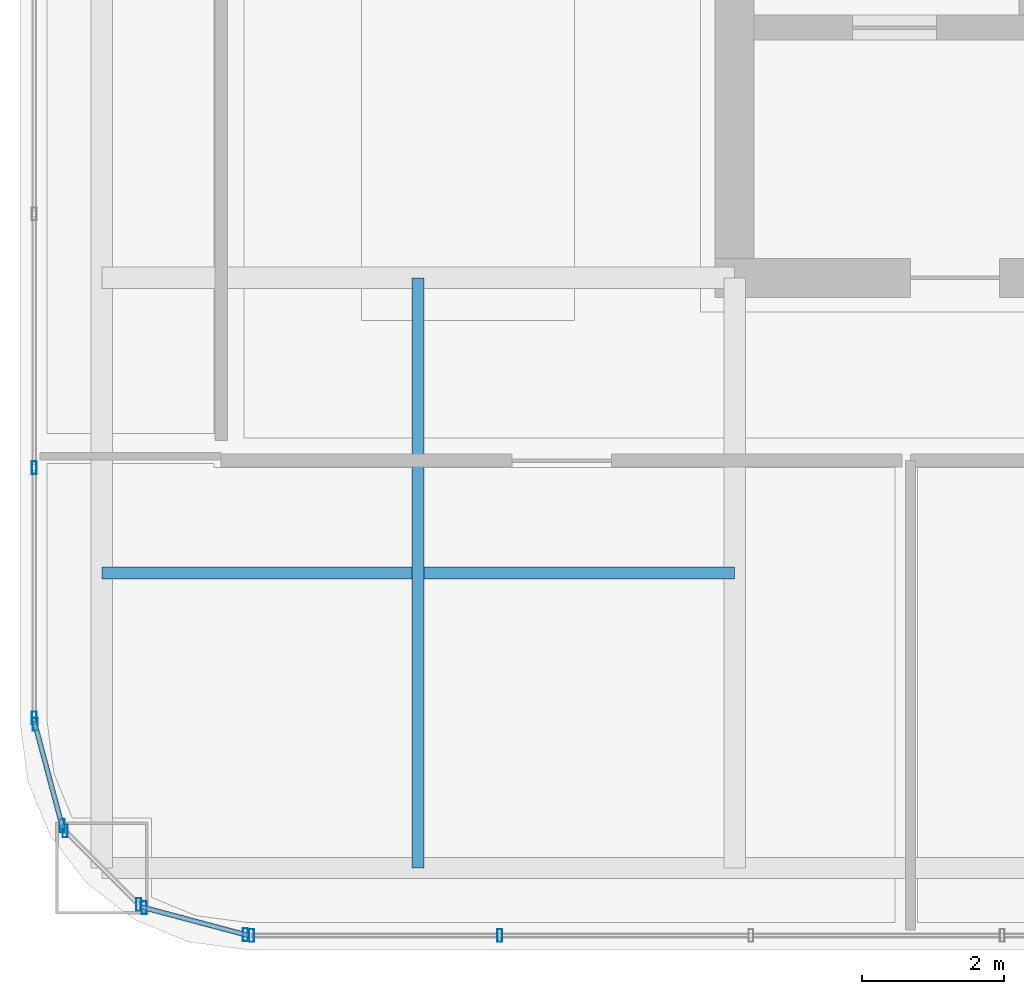
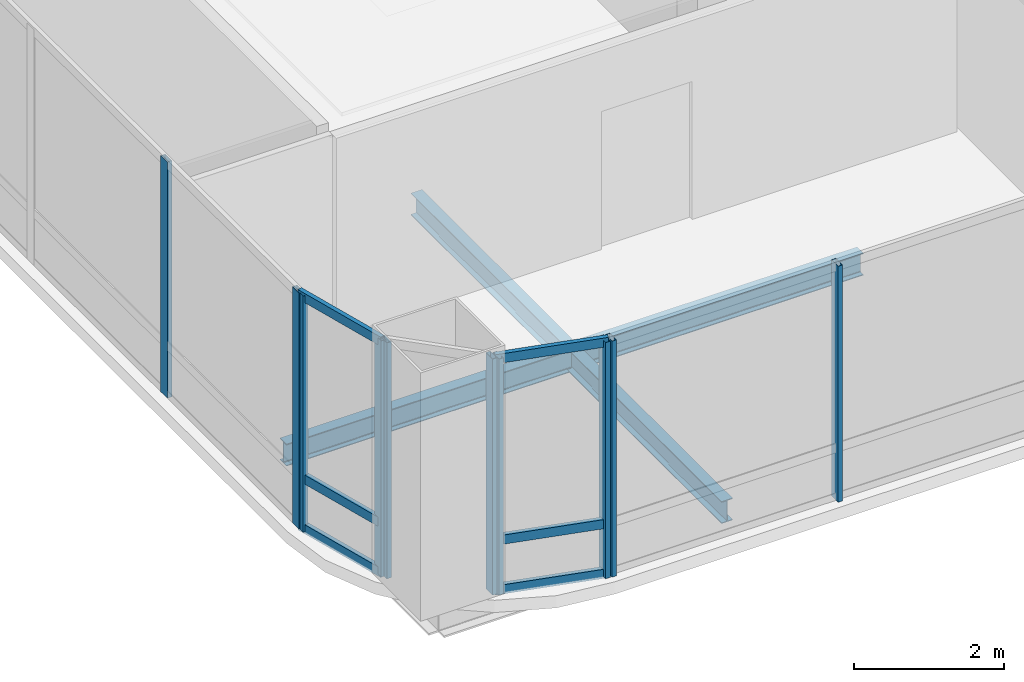
# One storey, part 2 of 42: 16 members, 2 beams, 5 elements without a shape of their own.
"""IFC4 building model written with IfcOpenShell, lengths in metres."""

from ifc_helpers import new_model, si_unit, direction, frame, origin, origin_2d, place, context, subcontext, project, spatial, hollow_rectangle, i_section, extrude, material, material_profile, profile_set, type_object, element, aggregate, save


model = new_model("IFC4")

# Units and contexts
model_context = context("Model", 3, precision=1e-05, world=origin(), true_north=direction((0.0, 1.0)))
body_context = subcontext(model_context, "Body", "Model", "MODEL_VIEW")
ifc_project = project(units=[si_unit("LENGTHUNIT", "METRE"), si_unit("AREAUNIT", "SQUARE_METRE"), si_unit("VOLUMEUNIT", "CUBIC_METRE"), si_unit("PLANEANGLEUNIT", "RADIAN"), si_unit("MASSUNIT", "GRAM", prefix="KILO")], contexts=[model_context])

# Site, building, storey
site_placement = place(None, origin())
site = spatial("IfcSite", under=ifc_project, at=site_placement, CompositionType="ELEMENT")
building_placement = place(site_placement, origin())
building = spatial("IfcBuilding", under=site, at=building_placement, Name="Punatoya Terracotta Tower", CompositionType="ELEMENT")
storey_placement = place(building_placement, frame((0.0, 0.0, 255.449951171875)))
storey = spatial("IfcBuildingStorey", under=building, at=storey_placement, Name="L60", CompositionType="ELEMENT", Elevation=255.449951171875)

# Beams
ifc_material_1 = material(Name="Steel S355", Category="steel")
ifc_material_profile_1 = material_profile(ifc_material_1, i_section(OverallWidth=0.169921875, OverallDepth=0.360107421875, WebThickness=0.008056640625, FlangeThickness=0.0126953125, FilletRadius=0.01806640625, at=origin_2d()))
ifc_profile_set_1 = profile_set([ifc_material_profile_1], Name="Steel S355")
beam_type = type_object("IfcBeamType", Name="BM-SEC-360", PredefinedType="JOIST", material=ifc_profile_set_1)
beam_1_placement = place(storey_placement, frame((-19.10009765625, -13.35009765625, -0.3798828125), z_axis=(1.0, 0.0, 0.0), x_axis=(0.0, 1.0, 0.0)))
element("IfcBeam", 1, at=beam_1_placement, inside=storey, type_object=beam_type, Name="BM-L60-SJS-1", PredefinedType="JOIST", context=body_context, shape_type="SweptSolid", body=[
    extrude(i_section(OverallWidth=0.169921875, OverallDepth=0.360107421875, WebThickness=0.008056640625, FlangeThickness=0.0126953125, FilletRadius=0.01806640625, at=origin_2d()), origin(), (0.0, 0.0, 1.0), 8.900146484375),
])
beam_2_placement = place(storey_placement, frame((-14.64990234375, -17.5, -0.3798828125), z_axis=(0.0, 1.0, 0.0), x_axis=(-1.0, 0.0, 0.0)))
element("IfcBeam", 2, at=beam_2_placement, inside=storey, type_object=beam_type, Name="BM-L60-SJW-1", PredefinedType="JOIST", context=body_context, shape_type="SweptSolid", body=[
    extrude(i_section(OverallWidth=0.169921875, OverallDepth=0.360107421875, WebThickness=0.008056640625, FlangeThickness=0.0126953125, FilletRadius=0.01806640625, at=origin_2d()), origin(), (0.0, 0.0, 1.0), 8.300048828125),
])

# Curtain wall, members
ifc_material_2 = material(Name="Aluminium 6063-T6 + Double Low-E Glass", Category="aluminium")
curtain_wall_type = type_object("IfcCurtainWallType", Name="CW-M3", PredefinedType="NOTDEFINED", material=ifc_material_2)
curtain_wall_1_placement = place(storey_placement, origin())
curtain_wall_1 = element("IfcCurtainWall", 3, at=curtain_wall_1_placement, inside=storey, type_object=curtain_wall_type, Name="L60 Curtain Wall CW-L60-S01-1", PredefinedType="NOTDEFINED")
ifc_material_3 = material(Name="Aluminium 6063-T6", Category="aluminium")
ifc_material_profile_2 = material_profile(ifc_material_3, hollow_rectangle(XDim=0.070068359375, YDim=0.179931640625, WallThickness=0.00390625, at=origin_2d()))
ifc_profile_set_2 = profile_set([ifc_material_profile_2], Name="Aluminium 6063-T6")
member_type_1 = type_object("IfcMemberType", Name="CW-MUL-M3", PredefinedType="MULLION", material=ifc_profile_set_2)
member_1_placement = place(storey_placement, frame((-16.991943359375, -18.449951171875, 0.0), z_axis=(0.0, 0.0, 1.0), x_axis=(1.0, 0.0, 0.0)))
member_1 = element("IfcMember", 4, at=member_1_placement, type_object=member_type_1, Name="CW-L60-S01-1 Mullion 00", PredefinedType="MULLION", context=body_context, shape_type="SweptSolid", body=[
    extrude(hollow_rectangle(XDim=0.070068359375, YDim=0.179931640625, WallThickness=0.00390625, at=origin_2d()), origin(), (0.0, 0.0, 1.0), 3.85009765625),
])
member_2_placement = place(storey_placement, frame((-13.5029296875, -18.449951171875, 0.0), z_axis=(0.0, 0.0, 1.0), x_axis=(1.0, 0.0, 0.0)))
member_2 = element("IfcMember", 5, at=member_2_placement, type_object=member_type_1, Name="CW-L60-S01-1 Mullion 01", PredefinedType="MULLION", context=body_context, shape_type="SweptSolid", body=[
    extrude(hollow_rectangle(XDim=0.070068359375, YDim=0.179931640625, WallThickness=0.00390625, at=origin_2d()), origin(), (0.0, 0.0, 1.0), 3.85009765625),
])
aggregate(curtain_wall_1, [member_1, member_2])

curtain_wall_2_placement = place(storey_placement, origin())
curtain_wall_2 = element("IfcCurtainWall", 6, at=curtain_wall_2_placement, inside=storey, type_object=curtain_wall_type, Name="L60 Curtain Wall CW-L60-W13-1", PredefinedType="NOTDEFINED")
member_3_placement = place(storey_placement, frame((-20.050048828125, -11.869384765625, 0.0), z_axis=(0.0, 0.0, 1.0), x_axis=(1.0, 0.0, 0.0)))
member_3 = element("IfcMember", 7, at=member_3_placement, type_object=member_type_1, Name="CW-L60-W13-1 Mullion 09", PredefinedType="MULLION", context=body_context, shape_type="SweptSolid", body=[
    extrude(hollow_rectangle(XDim=0.070068359375, YDim=0.179931640625, WallThickness=0.00390625, at=origin_2d()), origin(), (0.0, 0.0, 1.0), 3.85009765625),
])
member_4_placement = place(storey_placement, frame((-20.050048828125, -15.391845703125, 0.0), z_axis=(0.0, 0.0, 1.0), x_axis=(1.0, 0.0, 0.0)))
member_4 = element("IfcMember", 8, at=member_4_placement, type_object=member_type_1, Name="CW-L60-W13-1 Mullion 10", PredefinedType="MULLION", context=body_context, shape_type="SweptSolid", body=[
    extrude(hollow_rectangle(XDim=0.070068359375, YDim=0.179931640625, WallThickness=0.00390625, at=origin_2d()), origin(), (0.0, 0.0, 1.0), 3.85009765625),
])
aggregate(curtain_wall_2, [member_3, member_4])

curtain_wall_3_placement = place(storey_placement, origin())
curtain_wall_3 = element("IfcCurtainWall", 9, at=curtain_wall_3_placement, inside=storey, type_object=curtain_wall_type, Name="L60 Curtain Wall CW-L60-CRN14", PredefinedType="NOTDEFINED")
member_5_placement = place(storey_placement, frame((-20.038330078125, -15.48046875, 0.0), z_axis=(0.0, 0.0, 1.0), x_axis=(1.0, 0.0, 0.0)))
member_5 = element("IfcMember", 10, at=member_5_placement, type_object=member_type_1, Name="CW-L60-CRN14 Mullion 00", PredefinedType="MULLION", context=body_context, shape_type="SweptSolid", body=[
    extrude(hollow_rectangle(XDim=0.070068359375, YDim=0.179931640625, WallThickness=0.00390625, at=origin_2d()), origin(), (0.0, 0.0, 1.0), 3.85009765625),
])
member_6_placement = place(storey_placement, frame((-19.658203125, -16.905517578125, 0.0), z_axis=(0.0, 0.0, 1.0), x_axis=(1.0, 0.0, 0.0)))
member_6 = element("IfcMember", 11, at=member_6_placement, type_object=member_type_1, Name="CW-L60-CRN14 Mullion 01", PredefinedType="MULLION", context=body_context, shape_type="SweptSolid", body=[
    extrude(hollow_rectangle(XDim=0.070068359375, YDim=0.179931640625, WallThickness=0.00390625, at=origin_2d()), origin(), (0.0, 0.0, 1.0), 3.85009765625),
])

curtain_wall_4_placement = place(storey_placement, origin())
curtain_wall_4 = element("IfcCurtainWall", 12, at=curtain_wall_4_placement, inside=storey, type_object=curtain_wall_type, Name="L60 Curtain Wall CW-L60-CRN15", PredefinedType="NOTDEFINED")
member_7_placement = place(storey_placement, frame((-19.61474609375, -16.98095703125, 0.0), z_axis=(0.0, 0.0, 1.0), x_axis=(1.0, 0.0, 0.0)))
member_7 = element("IfcMember", 13, at=member_7_placement, type_object=member_type_1, Name="CW-L60-CRN15 Mullion 00", PredefinedType="MULLION", context=body_context, shape_type="SweptSolid", body=[
    extrude(hollow_rectangle(XDim=0.070068359375, YDim=0.179931640625, WallThickness=0.00390625, at=origin_2d()), origin(), (0.0, 0.0, 1.0), 3.85009765625),
])
member_8_placement = place(storey_placement, frame((-18.580810546875, -18.014892578125, 0.0), z_axis=(0.0, 0.0, 1.0), x_axis=(1.0, 0.0, 0.0)))
member_8 = element("IfcMember", 14, at=member_8_placement, type_object=member_type_1, Name="CW-L60-CRN15 Mullion 01", PredefinedType="MULLION", context=body_context, shape_type="SweptSolid", body=[
    extrude(hollow_rectangle(XDim=0.070068359375, YDim=0.179931640625, WallThickness=0.00390625, at=origin_2d()), origin(), (0.0, 0.0, 1.0), 3.85009765625),
])
aggregate(curtain_wall_4, [member_7, member_8])

curtain_wall_5_placement = place(storey_placement, origin())
curtain_wall_5 = element("IfcCurtainWall", 15, at=curtain_wall_5_placement, inside=storey, type_object=curtain_wall_type, Name="L60 Curtain Wall CW-L60-CRN16", PredefinedType="NOTDEFINED")
member_9_placement = place(storey_placement, frame((-18.505615234375, -18.05810546875, 0.0), z_axis=(0.0, 0.0, 1.0), x_axis=(1.0, 0.0, 0.0)))
member_9 = element("IfcMember", 16, at=member_9_placement, type_object=member_type_1, Name="CW-L60-CRN16 Mullion 00", PredefinedType="MULLION", context=body_context, shape_type="SweptSolid", body=[
    extrude(hollow_rectangle(XDim=0.070068359375, YDim=0.179931640625, WallThickness=0.00390625, at=origin_2d()), origin(), (0.0, 0.0, 1.0), 3.85009765625),
])
member_10_placement = place(storey_placement, frame((-17.080322265625, -18.4384765625, 0.0), z_axis=(0.0, 0.0, 1.0), x_axis=(1.0, 0.0, 0.0)))
member_10 = element("IfcMember", 17, at=member_10_placement, type_object=member_type_1, Name="CW-L60-CRN16 Mullion 01", PredefinedType="MULLION", context=body_context, shape_type="SweptSolid", body=[
    extrude(hollow_rectangle(XDim=0.070068359375, YDim=0.179931640625, WallThickness=0.00390625, at=origin_2d()), origin(), (0.0, 0.0, 1.0), 3.85009765625),
])

# Member
ifc_material_profile_3 = material_profile(ifc_material_3, hollow_rectangle(XDim=0.068115234375, YDim=0.14990234375, WallThickness=0.00390625, at=origin_2d()))
ifc_profile_set_3 = profile_set([ifc_material_profile_3], Name="Aluminium 6063-T6")
member_type_2 = type_object("IfcMemberType", Name="CW-TRN-TYP", PredefinedType="USERDEFINED", material=ifc_profile_set_3)
member_11_placement = place(storey_placement, frame((-20.050048828125, -15.43701171875, 0.0400390625), z_axis=(0.257847112249, -0.966185730957, 0.0), x_axis=(0.966185730957, 0.257847112249, 0.0)))
member_11 = element("IfcMember", 18, at=member_11_placement, type_object=member_type_2, Name="CW-L60-CRN14 Transom 1", ObjectType="TRANSOM", PredefinedType="USERDEFINED", context=body_context, shape_type="SweptSolid", body=[
    extrude(hollow_rectangle(XDim=0.068115234375, YDim=0.14990234375, WallThickness=0.00390625, at=origin_2d()), origin(), (0.0, 0.0, 1.0), 1.565185546875),
])

member_12_placement = place(storey_placement, frame((-20.050048828125, -15.43701171875, 0.85009765625), z_axis=(0.257847112249, -0.966185730957, 0.0), x_axis=(0.966185730957, 0.257847112249, 0.0)))
member_12 = element("IfcMember", 19, at=member_12_placement, type_object=member_type_2, Name="CW-L60-CRN14 Transom 2", ObjectType="TRANSOM", PredefinedType="USERDEFINED", context=body_context, shape_type="SweptSolid", body=[
    extrude(hollow_rectangle(XDim=0.068115234375, YDim=0.14990234375, WallThickness=0.00390625, at=origin_2d()), origin(), (0.0, 0.0, 1.0), 1.565185546875),
])

member_13_placement = place(storey_placement, frame((-20.050048828125, -15.43701171875, 3.81005859375), z_axis=(0.257847112249, -0.966185730957, 0.0), x_axis=(0.966185730957, 0.257847112249, 0.0)))
member_13 = element("IfcMember", 20, at=member_13_placement, type_object=member_type_2, Name="CW-L60-CRN14 Transom 3", ObjectType="TRANSOM", PredefinedType="USERDEFINED", context=body_context, shape_type="SweptSolid", body=[
    extrude(hollow_rectangle(XDim=0.068115234375, YDim=0.14990234375, WallThickness=0.00390625, at=origin_2d()), origin(), (0.0, 0.0, 1.0), 1.565185546875),
])

aggregate(curtain_wall_3, [member_5, member_6, member_11, member_12, member_13])

member_14_placement = place(storey_placement, frame((-18.549072265625, -18.046630859375, 0.0400390625), z_axis=(0.966224582397, -0.257701486942, 0.0), x_axis=(0.257701486942, 0.966224582397, 0.0)))
member_14 = element("IfcMember", 21, at=member_14_placement, type_object=member_type_2, Name="CW-L60-CRN16 Transom 1", ObjectType="TRANSOM", PredefinedType="USERDEFINED", context=body_context, shape_type="SweptSolid", body=[
    extrude(hollow_rectangle(XDim=0.068115234375, YDim=0.14990234375, WallThickness=0.00390625, at=origin_2d()), origin(), (0.0, 0.0, 1.0), 1.565185546875),
])

member_15_placement = place(storey_placement, frame((-18.549072265625, -18.046630859375, 0.85009765625), z_axis=(0.966224582397, -0.257701486942, 0.0), x_axis=(0.257701486942, 0.966224582397, 0.0)))
member_15 = element("IfcMember", 22, at=member_15_placement, type_object=member_type_2, Name="CW-L60-CRN16 Transom 2", ObjectType="TRANSOM", PredefinedType="USERDEFINED", context=body_context, shape_type="SweptSolid", body=[
    extrude(hollow_rectangle(XDim=0.068115234375, YDim=0.14990234375, WallThickness=0.00390625, at=origin_2d()), origin(), (0.0, 0.0, 1.0), 1.565185546875),
])

member_16_placement = place(storey_placement, frame((-18.549072265625, -18.046630859375, 3.81005859375), z_axis=(0.966224582397, -0.257701486942, 0.0), x_axis=(0.257701486942, 0.966224582397, 0.0)))
member_16 = element("IfcMember", 23, at=member_16_placement, type_object=member_type_2, Name="CW-L60-CRN16 Transom 3", ObjectType="TRANSOM", PredefinedType="USERDEFINED", context=body_context, shape_type="SweptSolid", body=[
    extrude(hollow_rectangle(XDim=0.068115234375, YDim=0.14990234375, WallThickness=0.00390625, at=origin_2d()), origin(), (0.0, 0.0, 1.0), 1.565185546875),
])

aggregate(curtain_wall_5, [member_9, member_10, member_14, member_15, member_16])

save(model, "model.ifc")
